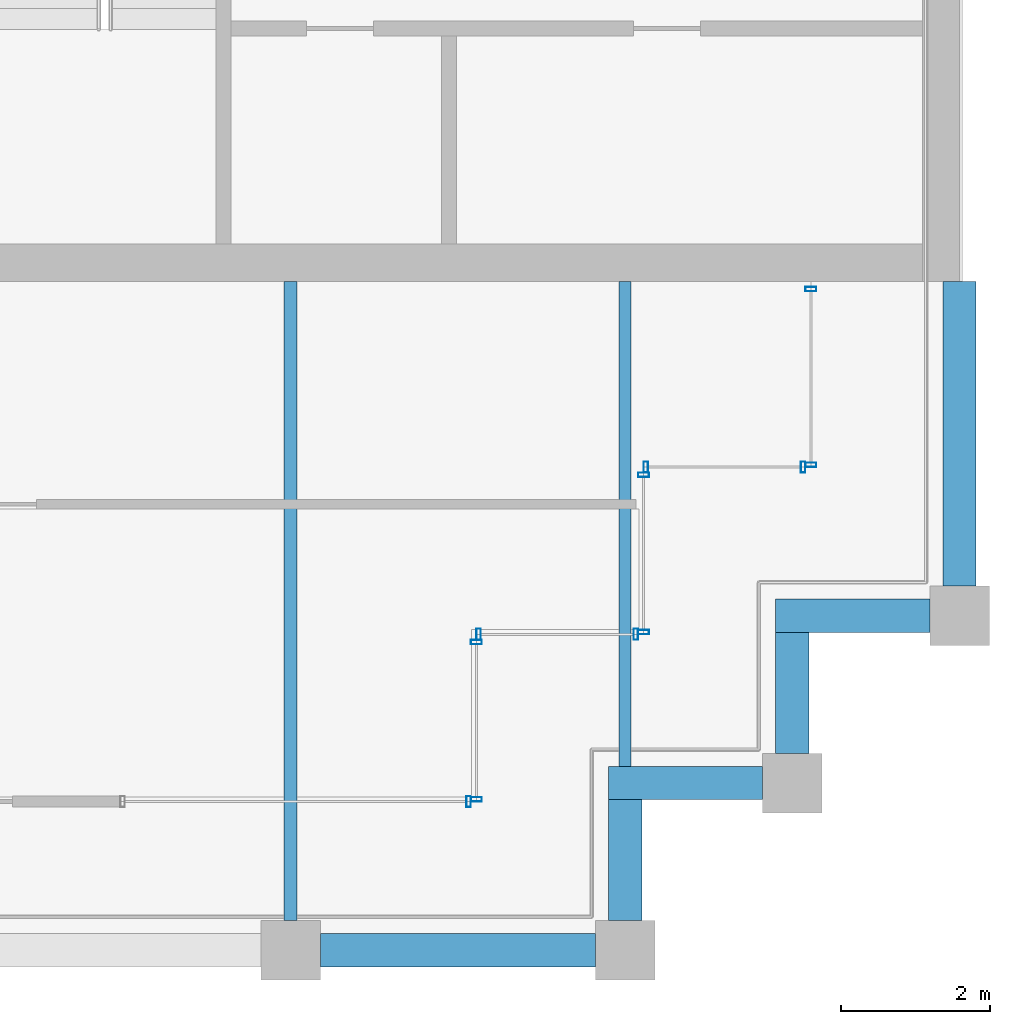
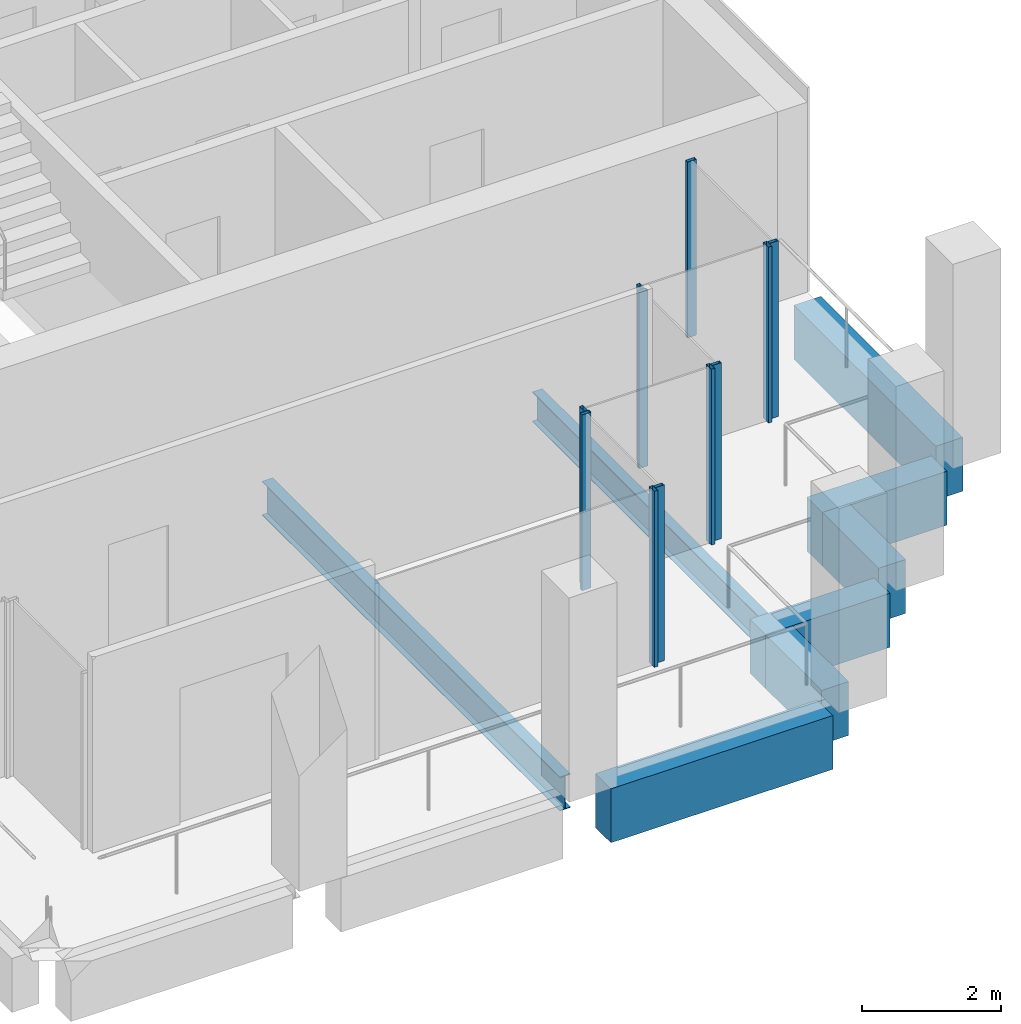
# One storey, part 31 of 41: 11 members, 8 beams, 6 elements without a shape of their own.
"""IFC4 building model written with IfcOpenShell, lengths in metres."""

from ifc_helpers import new_model, si_unit, direction, frame, origin, origin_2d, place, context, subcontext, project, spatial, rectangle, hollow_rectangle, i_section, extrude, material, material_profile, profile_set, type_object, element, aggregate, save


model = new_model("IFC4")

# Units and contexts
model_context = context("Model", 3, precision=1e-05, world=origin(), true_north=direction((0.0, 1.0)))
body_context = subcontext(model_context, "Body", "Model", "MODEL_VIEW")
ifc_project = project(units=[si_unit("LENGTHUNIT", "METRE"), si_unit("AREAUNIT", "SQUARE_METRE"), si_unit("VOLUMEUNIT", "CUBIC_METRE"), si_unit("PLANEANGLEUNIT", "RADIAN"), si_unit("MASSUNIT", "GRAM", prefix="KILO")], contexts=[model_context])

# Site, building, storey
site_placement = place(None, origin())
site = spatial("IfcSite", under=ifc_project, at=site_placement, CompositionType="ELEMENT")
building_placement = place(site_placement, origin())
building = spatial("IfcBuilding", under=site, at=building_placement, Name="Altepetl Exchange Towers", CompositionType="ELEMENT")
storey_placement = place(building_placement, frame((0.0, 0.0, 206.39990234375)))
storey = spatial("IfcBuildingStorey", under=building, at=storey_placement, Name="L52", CompositionType="ELEMENT", Elevation=206.39990234375)

# Beams
ifc_material_1 = material(Name="Steel S355", Category="steel")
ifc_material_profile_1 = material_profile(ifc_material_1, i_section(OverallWidth=0.166015625, OverallDepth=0.529052734375, WebThickness=0.009765625, FlangeThickness=0.013671875, at=origin_2d()), Name="W21X50")
ifc_profile_set_1 = profile_set([ifc_material_profile_1], Name="Steel S355")
beam_type_1 = type_object("IfcBeamType", Name="Floor beam W21X50", PredefinedType="BEAM", material=ifc_profile_set_1)
beam_1_placement = place(storey_placement, frame((112.5, 29.47509765625, -0.414306640625), z_axis=(0.0, 1.0, 0.0), x_axis=(-1.0, 0.0, 0.0)))
element("IfcBeam", 1, at=beam_1_placement, inside=storey, type_object=beam_type_1, Name="bm:B:L52:003", PredefinedType="BEAM", context=body_context, shape_type="SweptSolid", body=[
    extrude(i_section(OverallWidth=0.166015625, OverallDepth=0.529052734375, WebThickness=0.009765625, FlangeThickness=0.013671875, at=origin_2d()), origin(), (0.0, 0.0, 1.0), 6.52490234375),
])
ifc_material_profile_2 = material_profile(ifc_material_1, i_section(OverallWidth=0.177978515625, OverallDepth=0.59912109375, WebThickness=0.010009765625, FlangeThickness=0.0126953125, at=origin_2d()), Name="W24X55")
ifc_profile_set_2 = profile_set([ifc_material_profile_2], Name="Steel S355")
beam_type_2 = type_object("IfcBeamType", Name="Floor beam W24X55", PredefinedType="BEAM", material=ifc_profile_set_2)
beam_2_placement = place(storey_placement, frame((108.0, 27.39990234375, -0.449462890625), z_axis=(0.0, 1.0, 0.0), x_axis=(-1.0, 0.0, 0.0)))
element("IfcBeam", 2, at=beam_2_placement, inside=storey, type_object=beam_type_2, Name="bm:B:L52:002", PredefinedType="BEAM", context=body_context, shape_type="SweptSolid", body=[
    extrude(i_section(OverallWidth=0.177978515625, OverallDepth=0.59912109375, WebThickness=0.010009765625, FlangeThickness=0.0126953125, at=origin_2d()), origin(), (0.0, 0.0, 1.0), 8.60009765625),
])

# Curtain wall, member
ifc_material_2 = material(Name="Aluminium 6063-T6 glazing", Category="aluminium")
curtain_wall_type = type_object("IfcCurtainWallType", Name="Loggia glazing system", PredefinedType="NOTDEFINED", material=ifc_material_2)
curtain_wall_1_placement = place(storey_placement, origin())
curtain_wall_1 = element("IfcCurtainWall", 3, at=curtain_wall_1_placement, inside=storey, type_object=curtain_wall_type, Name="CW1 run", PredefinedType="NOTDEFINED")
ifc_material_3 = material(Name="Aluminium 6063-T6", Category="aluminium")
ifc_material_profile_3 = material_profile(ifc_material_3, hollow_rectangle(XDim=0.06005859375, YDim=0.14990234375, WallThickness=0.0029296875, at=origin_2d()), Name="Mullion 60x150 aluminium")
ifc_profile_set_3 = profile_set([ifc_material_profile_3], Name="Aluminium 6063-T6")
member_type = type_object("IfcMemberType", Name="Mullion 60x150 aluminium", PredefinedType="MULLION", material=ifc_profile_set_3)
member_1_placement = place(storey_placement, frame((110.39501953125, 29.0, 0.0)))
member_1 = element("IfcMember", 4, at=member_1_placement, type_object=member_type, Name="MU1 mullion", PredefinedType="MULLION", context=body_context, shape_type="SweptSolid", body=[
    extrude(hollow_rectangle(XDim=0.06005859375, YDim=0.14990234375, WallThickness=0.0029296875, at=origin_2d()), origin(), (0.0, 0.0, 1.0), 3.10009765625),
])
aggregate(curtain_wall_1, [member_1])

# Curtain wall, members
curtain_wall_2_placement = place(storey_placement, origin())
curtain_wall_2 = element("IfcCurtainWall", 5, at=curtain_wall_2_placement, inside=storey, type_object=curtain_wall_type, Name="CW1 run", PredefinedType="NOTDEFINED")
member_2_placement = place(storey_placement, frame((110.5, 29.030029296875, 0.0), z_axis=(0.0, 0.0, 1.0), x_axis=(0.0, 1.0, 0.0)))
member_2 = element("IfcMember", 6, at=member_2_placement, type_object=member_type, Name="MU1 mullion", PredefinedType="MULLION", context=body_context, shape_type="SweptSolid", body=[
    extrude(hollow_rectangle(XDim=0.06005859375, YDim=0.14990234375, WallThickness=0.0029296875, at=origin_2d()), origin(), (0.0, 0.0, 1.0), 3.10009765625),
])
member_3_placement = place(storey_placement, frame((110.5, 31.14501953125, 0.0), z_axis=(0.0, 0.0, 1.0), x_axis=(0.0, 1.0, 0.0)))
member_3 = element("IfcMember", 7, at=member_3_placement, type_object=member_type, Name="MU1 mullion", PredefinedType="MULLION", context=body_context, shape_type="SweptSolid", body=[
    extrude(hollow_rectangle(XDim=0.06005859375, YDim=0.14990234375, WallThickness=0.0029296875, at=origin_2d()), origin(), (0.0, 0.0, 1.0), 3.10009765625),
])
aggregate(curtain_wall_2, [member_2, member_3])

curtain_wall_3_placement = place(storey_placement, origin())
curtain_wall_3 = element("IfcCurtainWall", 8, at=curtain_wall_3_placement, inside=storey, type_object=curtain_wall_type, Name="CW1 run", PredefinedType="NOTDEFINED")
member_4_placement = place(storey_placement, frame((110.530029296875, 31.25, 0.0)))
member_4 = element("IfcMember", 9, at=member_4_placement, type_object=member_type, Name="MU1 mullion", PredefinedType="MULLION", context=body_context, shape_type="SweptSolid", body=[
    extrude(hollow_rectangle(XDim=0.06005859375, YDim=0.14990234375, WallThickness=0.0029296875, at=origin_2d()), origin(), (0.0, 0.0, 1.0), 3.10009765625),
])
member_5_placement = place(storey_placement, frame((112.64501953125, 31.25, 0.0)))
member_5 = element("IfcMember", 10, at=member_5_placement, type_object=member_type, Name="MU1 mullion", PredefinedType="MULLION", context=body_context, shape_type="SweptSolid", body=[
    extrude(hollow_rectangle(XDim=0.06005859375, YDim=0.14990234375, WallThickness=0.0029296875, at=origin_2d()), origin(), (0.0, 0.0, 1.0), 3.10009765625),
])
aggregate(curtain_wall_3, [member_4, member_5])

curtain_wall_4_placement = place(storey_placement, origin())
curtain_wall_4 = element("IfcCurtainWall", 11, at=curtain_wall_4_placement, inside=storey, type_object=curtain_wall_type, Name="CW1 run", PredefinedType="NOTDEFINED")
member_6_placement = place(storey_placement, frame((112.75, 31.280029296875, 0.0), z_axis=(0.0, 0.0, 1.0), x_axis=(0.0, 1.0, 0.0)))
member_6 = element("IfcMember", 12, at=member_6_placement, type_object=member_type, Name="MU1 mullion", PredefinedType="MULLION", context=body_context, shape_type="SweptSolid", body=[
    extrude(hollow_rectangle(XDim=0.06005859375, YDim=0.14990234375, WallThickness=0.0029296875, at=origin_2d()), origin(), (0.0, 0.0, 1.0), 3.10009765625),
])
member_7_placement = place(storey_placement, frame((112.75, 33.39501953125, 0.0), z_axis=(0.0, 0.0, 1.0), x_axis=(0.0, 1.0, 0.0)))
member_7 = element("IfcMember", 13, at=member_7_placement, type_object=member_type, Name="MU1 mullion", PredefinedType="MULLION", context=body_context, shape_type="SweptSolid", body=[
    extrude(hollow_rectangle(XDim=0.06005859375, YDim=0.14990234375, WallThickness=0.0029296875, at=origin_2d()), origin(), (0.0, 0.0, 1.0), 3.10009765625),
])
aggregate(curtain_wall_4, [member_6, member_7])

curtain_wall_5_placement = place(storey_placement, origin())
curtain_wall_5 = element("IfcCurtainWall", 14, at=curtain_wall_5_placement, inside=storey, type_object=curtain_wall_type, Name="CW1 run", PredefinedType="NOTDEFINED")
member_8_placement = place(storey_placement, frame((112.780029296875, 33.5, 0.0)))
member_8 = element("IfcMember", 15, at=member_8_placement, type_object=member_type, Name="MU1 mullion", PredefinedType="MULLION", context=body_context, shape_type="SweptSolid", body=[
    extrude(hollow_rectangle(XDim=0.06005859375, YDim=0.14990234375, WallThickness=0.0029296875, at=origin_2d()), origin(), (0.0, 0.0, 1.0), 3.10009765625),
])
member_9_placement = place(storey_placement, frame((114.89501953125, 33.5, 0.0)))
member_9 = element("IfcMember", 16, at=member_9_placement, type_object=member_type, Name="MU1 mullion", PredefinedType="MULLION", context=body_context, shape_type="SweptSolid", body=[
    extrude(hollow_rectangle(XDim=0.06005859375, YDim=0.14990234375, WallThickness=0.0029296875, at=origin_2d()), origin(), (0.0, 0.0, 1.0), 3.10009765625),
])
aggregate(curtain_wall_5, [member_8, member_9])

curtain_wall_6_placement = place(storey_placement, origin())
curtain_wall_6 = element("IfcCurtainWall", 17, at=curtain_wall_6_placement, inside=storey, type_object=curtain_wall_type, Name="CW1 run", PredefinedType="NOTDEFINED")
member_10_placement = place(storey_placement, frame((115.0, 33.530029296875, 0.0), z_axis=(0.0, 0.0, 1.0), x_axis=(0.0, 1.0, 0.0)))
member_10 = element("IfcMember", 18, at=member_10_placement, type_object=member_type, Name="MU1 mullion", PredefinedType="MULLION", context=body_context, shape_type="SweptSolid", body=[
    extrude(hollow_rectangle(XDim=0.06005859375, YDim=0.14990234375, WallThickness=0.0029296875, at=origin_2d()), origin(), (0.0, 0.0, 1.0), 3.10009765625),
])
member_11_placement = place(storey_placement, frame((115.0, 35.89501953125, 0.0), z_axis=(0.0, 0.0, 1.0), x_axis=(0.0, 1.0, 0.0)))
member_11 = element("IfcMember", 19, at=member_11_placement, type_object=member_type, Name="MU1 mullion", PredefinedType="MULLION", context=body_context, shape_type="SweptSolid", body=[
    extrude(hollow_rectangle(XDim=0.06005859375, YDim=0.14990234375, WallThickness=0.0029296875, at=origin_2d()), origin(), (0.0, 0.0, 1.0), 3.10009765625),
])
aggregate(curtain_wall_6, [member_10, member_11])

# Beams
ifc_material_4 = material(Name="Concrete C50/60 precast with cantera blanca facing", Category="concrete")
ifc_material_profile_4 = material_profile(ifc_material_4, rectangle(XDim=0.449951171875, YDim=0.949951171875, at=origin_2d()), Name="450 x 950")
ifc_profile_set_4 = profile_set([ifc_material_profile_4], Name="Concrete C50/60 precast with cantera blanca facing")
beam_type_3 = type_object("IfcBeamType", Name="Spandrel beam 450x950 cantera blanca", PredefinedType="SPANDREL", material=ifc_profile_set_4)
beam_3_placement = place(storey_placement, frame((117.0, 31.89990234375, -0.625), z_axis=(0.0, 1.0, 0.0), x_axis=(-1.0, 0.0, 0.0)))
element("IfcBeam", 20, at=beam_3_placement, inside=storey, type_object=beam_type_3, Name="sp:B:L52:007", PredefinedType="SPANDREL", context=body_context, shape_type="SweptSolid", body=[
    extrude(rectangle(XDim=0.449951171875, YDim=0.949951171875, at=origin_2d()), origin(), (0.0, 0.0, 1.0), 4.10009765625),
])
ifc_material_5 = material(Name="Concrete C50/60 precast with tezontle facing", Category="concrete")
ifc_material_profile_5 = material_profile(ifc_material_5, rectangle(XDim=0.449951171875, YDim=0.949951171875, at=origin_2d()), Name="450 x 950")
ifc_profile_set_5 = profile_set([ifc_material_profile_5], Name="Concrete C50/60 precast with tezontle facing")
beam_type_4 = type_object("IfcBeamType", Name="Spandrel beam 450x950 tezontle", PredefinedType="SPANDREL", material=ifc_profile_set_5)
beam_4_placement = place(storey_placement, frame((108.39990234375, 27.0, -0.625), z_axis=(1.0, 0.0, 0.0), x_axis=(0.0, 1.0, 0.0)))
element("IfcBeam", 21, at=beam_4_placement, inside=storey, type_object=beam_type_4, Name="sp:B:L52:002", PredefinedType="SPANDREL", context=body_context, shape_type="SweptSolid", body=[
    extrude(rectangle(XDim=0.449951171875, YDim=0.949951171875, at=origin_2d()), origin(), (0.0, 0.0, 1.0), 3.7001953125),
])
beam_5_placement = place(storey_placement, frame((112.5, 27.39990234375, -0.625), z_axis=(0.0, 1.0, 0.0), x_axis=(-1.0, 0.0, 0.0)))
element("IfcBeam", 22, at=beam_5_placement, inside=storey, type_object=beam_type_4, Name="sp:B:L52:003", PredefinedType="SPANDREL", context=body_context, shape_type="SweptSolid", body=[
    extrude(rectangle(XDim=0.449951171875, YDim=0.949951171875, at=origin_2d()), origin(), (0.0, 0.0, 1.0), 1.625),
])
beam_6_placement = place(storey_placement, frame((112.27490234375, 29.25, -0.625), z_axis=(1.0, 0.0, 0.0), x_axis=(0.0, 1.0, 0.0)))
element("IfcBeam", 23, at=beam_6_placement, inside=storey, type_object=beam_type_4, Name="sp:B:L52:004", PredefinedType="SPANDREL", context=body_context, shape_type="SweptSolid", body=[
    extrude(rectangle(XDim=0.449951171875, YDim=0.949951171875, at=origin_2d()), origin(), (0.0, 0.0, 1.0), 2.0751953125),
])
beam_7_placement = place(storey_placement, frame((114.75, 29.64990234375, -0.625), z_axis=(0.0, 1.0, 0.0), x_axis=(-1.0, 0.0, 0.0)))
element("IfcBeam", 24, at=beam_7_placement, inside=storey, type_object=beam_type_4, Name="sp:B:L52:005", PredefinedType="SPANDREL", context=body_context, shape_type="SweptSolid", body=[
    extrude(rectangle(XDim=0.449951171875, YDim=0.949951171875, at=origin_2d()), origin(), (0.0, 0.0, 1.0), 1.625),
])
beam_8_placement = place(storey_placement, frame((114.52490234375, 31.5, -0.625), z_axis=(1.0, 0.0, 0.0), x_axis=(0.0, 1.0, 0.0)))
element("IfcBeam", 25, at=beam_8_placement, inside=storey, type_object=beam_type_4, Name="sp:B:L52:006", PredefinedType="SPANDREL", context=body_context, shape_type="SweptSolid", body=[
    extrude(rectangle(XDim=0.449951171875, YDim=0.949951171875, at=origin_2d()), origin(), (0.0, 0.0, 1.0), 2.0751953125),
])

save(model, "model.ifc")
